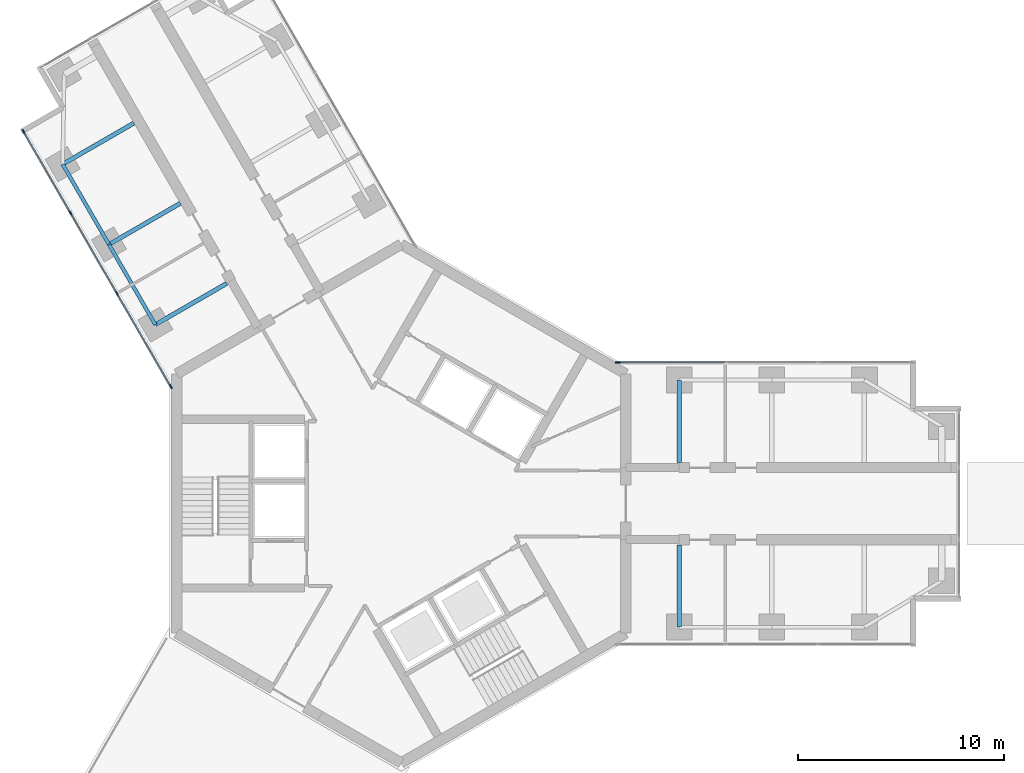
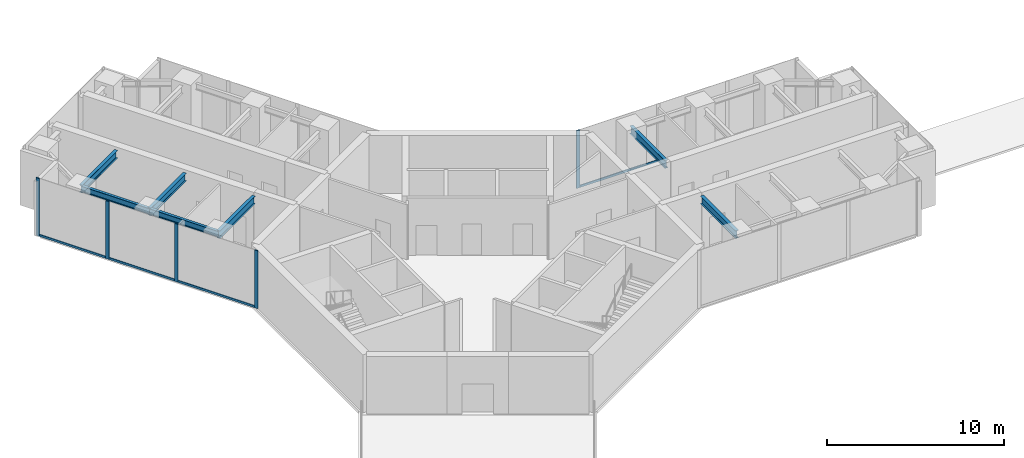
# One storey, part 5 of 18: 9 members, 7 beams, 2 elements without a shape of their own.
"""IFC4 building model written with IfcOpenShell, lengths in metres."""

from ifc_helpers import new_model, si_unit, direction, frame, origin, origin_2d, place, context, subcontext, project, spatial, rectangle, i_section, extrude, material, material_profile, profile_set, type_object, element, aggregate, save


model = new_model("IFC4")

# Units and contexts
model_context = context("Model", 3, precision=1e-05, world=origin(), true_north=direction((0.0, 1.0)))
body_context = subcontext(model_context, "Body", "Model", "MODEL_VIEW")
ifc_project = project(units=[si_unit("LENGTHUNIT", "METRE"), si_unit("AREAUNIT", "SQUARE_METRE"), si_unit("VOLUMEUNIT", "CUBIC_METRE"), si_unit("PLANEANGLEUNIT", "RADIAN"), si_unit("MASSUNIT", "GRAM", prefix="KILO")], contexts=[model_context])

# Site, building, storey
site_placement = place(None, origin())
site = spatial("IfcSite", under=ifc_project, at=site_placement, CompositionType="ELEMENT")
building_placement = place(site_placement, origin())
building = spatial("IfcBuilding", under=site, at=building_placement, Name="Upepo Twin Towers", CompositionType="ELEMENT")
storey_placement = place(building_placement, frame((0.0, 0.0, 170.5)))
storey = spatial("IfcBuildingStorey", under=building, at=storey_placement, Name="L41", CompositionType="ELEMENT", Elevation=170.5)

# Beams
ifc_material_1 = material(Name="Steel S355", Category="steel")
ifc_material_profile_1 = material_profile(ifc_material_1, i_section(OverallWidth=0.177978515625, OverallDepth=0.406494140625, WebThickness=0.0078125, FlangeThickness=0.0126953125, FilletRadius=0.01025390625, at=origin_2d()), Name="UB 406x178x60")
ifc_profile_set_1 = profile_set([ifc_material_profile_1], Name="Steel S355")
beam_type_1 = type_object("IfcBeamType", Name="Beam UB 406x178x60", PredefinedType="BEAM", material=ifc_profile_set_1)
beam_1_placement = place(storey_placement, frame((-11.946044921875, 8.69140625, 3.5966796875), z_axis=(-0.500013631625, 0.866017533419, 0.0), x_axis=(-0.866017533419, -0.500013631625, 0.0)))
element("IfcBeam", 1, at=beam_1_placement, inside=storey, type_object=beam_type_1, Name="T1 edge beam BL 13.5-18.0", PredefinedType="BEAM", context=body_context, shape_type="SweptSolid", body=[
    extrude(i_section(OverallWidth=0.177978515625, OverallDepth=0.406494140625, WebThickness=0.0078125, FlangeThickness=0.0126953125, FilletRadius=0.01025390625, at=origin_2d()), origin(), (0.0, 0.0, 1.0), 4.499755859375),
])
beam_2_placement = place(storey_placement, frame((-14.196044921875, 12.58837890625, 3.5966796875), z_axis=(-0.499990139034, 0.866031096941, 0.0), x_axis=(-0.866031096941, -0.499990139034, 0.0)))
element("IfcBeam", 2, at=beam_2_placement, inside=storey, type_object=beam_type_1, Name="T1 edge beam BL 18.0-22.5", PredefinedType="BEAM", context=body_context, shape_type="SweptSolid", body=[
    extrude(i_section(OverallWidth=0.177978515625, OverallDepth=0.406494140625, WebThickness=0.0078125, FlangeThickness=0.0126953125, FilletRadius=0.01025390625, at=origin_2d()), origin(), (0.0, 0.0, 1.0), 4.5),
])
ifc_material_2 = material(Name="Steel S355", Category="steel")
ifc_material_profile_2 = material_profile(ifc_material_2, i_section(OverallWidth=0.209228515625, OverallDepth=0.533203125, WebThickness=0.010009765625, FlangeThickness=0.015625, FilletRadius=0.0126953125, at=origin_2d()), Name="UB 533x210x92")
ifc_profile_set_2 = profile_set([ifc_material_profile_2], Name="Steel S355")
beam_type_2 = type_object("IfcBeamType", Name="Beam UB 533x210x92", PredefinedType="BEAM", material=ifc_profile_set_2)
for number, where, z_axis, x_axis, name in (
    (3, (13.5, 6.0, 3.533447265625), (0.0, -1.0, 0.0), (1.0, 0.0, 0.0), "T1 girder AL at 13.5"),
    (4, (13.5, -6.0, 3.533447265625), (0.0, 1.0, 0.0), (-1.0, 0.0, 0.0), "T1 girder AR at 13.5"),
    (5, (-11.946044921875, 8.69140625, 3.533447265625), (0.866026010844, 0.49999894854, 0.0), (-0.49999894854, 0.866026010844, 0.0), "T1 girder BL at 13.5"),
    (6, (-14.196044921875, 12.58837890625, 3.533447265625), (0.866026010844, 0.49999894854, 0.0), (-0.49999894854, 0.866026010844, 0.0), "T1 girder BL at 18.0"),
    (7, (-16.446044921875, 16.485595703125, 3.533447265625), (0.866026010844, 0.49999894854, 0.0), (-0.49999894854, 0.866026010844, 0.0), "T1 girder BL at 22.5"),
):
    element("IfcBeam", number, at=place(storey_placement, frame(where, z_axis=z_axis, x_axis=x_axis)), inside=storey, type_object=beam_type_2, Name=name, PredefinedType="BEAM", context=body_context, shape_type="SweptSolid", body=[
        extrude(i_section(OverallWidth=0.209228515625, OverallDepth=0.533203125, WebThickness=0.010009765625, FlangeThickness=0.015625, FilletRadius=0.0126953125, at=origin_2d()), origin(), (0.0, 0.0, 1.0), 4.0),
    ])

# Curtain wall, member
ifc_material_3 = material(Name="Aluminium and fritted glass", Category="aluminium")
curtain_wall_type = type_object("IfcCurtainWallType", Name="Tower curtain wall TW3, fritted glass", PredefinedType="NOTDEFINED", material=ifc_material_3)
curtain_wall_1_placement = place(storey_placement, origin())
curtain_wall_1 = element("IfcCurtainWall", 8, at=curtain_wall_1_placement, inside=storey, type_object=curtain_wall_type, Name="T1 L41 wing A flank L curtain wall", PredefinedType="NOTDEFINED")
ifc_material_4 = material(Name="Aluminium mullion", Category="aluminium")
ifc_material_profile_3 = material_profile(ifc_material_4, rectangle(XDim=0.06494140625, YDim=0.22509765625, at=origin_2d()), Name="MULLION 65x225")
ifc_profile_set_3 = profile_set([ifc_material_profile_3], Name="Aluminium mullion")
member_type_1 = type_object("IfcMemberType", Name="Mullion 65x225 TW3", PredefinedType="MULLION", material=ifc_profile_set_3)
member_1_placement = place(storey_placement, frame((10.51953125, 6.85009765625, 0.0), z_axis=(0.0, 0.0, 1.0), x_axis=(0.0, 1.0, 0.0)))
member_1 = element("IfcMember", 9, at=member_1_placement, type_object=member_type_1, Name="T1 L41 wing A flank L curtain wall mullion 1", PredefinedType="MULLION", context=body_context, shape_type="SweptSolid", body=[
    extrude(rectangle(XDim=0.06494140625, YDim=0.22509765625, at=origin_2d()), origin(), (0.0, 0.0, 1.0), 4.0),
])

# Curtain wall, members
curtain_wall_2_placement = place(storey_placement, origin())
curtain_wall_2 = element("IfcCurtainWall", 10, at=curtain_wall_2_placement, inside=storey, type_object=curtain_wall_type, Name="T1 L41 wing B flank L curtain wall", PredefinedType="NOTDEFINED")
member_2_placement = place(storey_placement, frame((-11.192138671875, 5.685302734375, 0.0), z_axis=(0.0, 0.0, 1.0), x_axis=(-0.866025388469, -0.500000026527, 0.0)))
member_2 = element("IfcMember", 11, at=member_2_placement, type_object=member_type_1, Name="T1 L41 wing B flank L curtain wall mullion 1", PredefinedType="MULLION", context=body_context, shape_type="SweptSolid", body=[
    extrude(rectangle(XDim=0.06494140625, YDim=0.22509765625, at=origin_2d()), origin(), (0.0, 0.0, 1.0), 4.0),
])
member_3_placement = place(storey_placement, frame((-13.807373046875, 10.21484375, 0.0), z_axis=(0.0, 0.0, 1.0), x_axis=(-0.866025388469, -0.500000026527, 0.0)))
member_3 = element("IfcMember", 12, at=member_3_placement, type_object=member_type_1, Name="T1 L41 wing B flank L curtain wall mullion 2", PredefinedType="MULLION", context=body_context, shape_type="SweptSolid", body=[
    extrude(rectangle(XDim=0.06494140625, YDim=0.22509765625, at=origin_2d()), origin(), (0.0, 0.0, 1.0), 4.0),
])
member_4_placement = place(storey_placement, frame((-16.057373046875, 14.112060546875, 0.0), z_axis=(0.0, 0.0, 1.0), x_axis=(-0.866025388469, -0.500000026527, 0.0)))
member_4 = element("IfcMember", 13, at=member_4_placement, type_object=member_type_1, Name="T1 L41 wing B flank L curtain wall mullion 3", PredefinedType="MULLION", context=body_context, shape_type="SweptSolid", body=[
    extrude(rectangle(XDim=0.06494140625, YDim=0.22509765625, at=origin_2d()), origin(), (0.0, 0.0, 1.0), 4.0),
])
member_5_placement = place(storey_placement, frame((-18.341064453125, 18.067626953125, 0.0), z_axis=(0.0, 0.0, 1.0), x_axis=(-0.866025388469, -0.500000026527, 0.0)))
member_5 = element("IfcMember", 14, at=member_5_placement, type_object=member_type_1, Name="T1 L41 wing B flank L curtain wall mullion 4", PredefinedType="MULLION", context=body_context, shape_type="SweptSolid", body=[
    extrude(rectangle(XDim=0.06494140625, YDim=0.22509765625, at=origin_2d()), origin(), (0.0, 0.0, 1.0), 4.0),
])

# Member
ifc_material_5 = material(Name="Aluminium transom", Category="aluminium")
ifc_material_profile_4 = material_profile(ifc_material_5, rectangle(XDim=0.06494140625, YDim=0.14990234375, at=origin_2d()), Name="TRANSOM 65x150")
ifc_profile_set_4 = profile_set([ifc_material_profile_4], Name="Aluminium transom")
member_type_2 = type_object("IfcMemberType", Name="Transom 65x150 TW3", PredefinedType="USERDEFINED", material=ifc_profile_set_4)
member_6_placement = place(storey_placement, frame((10.552001953125, 6.85009765625, 0.074951171875), z_axis=(1.0, 0.0, 0.0), x_axis=(0.0, 1.0, 0.0)))
member_6 = element("IfcMember", 15, at=member_6_placement, type_object=member_type_2, Name="T1 L41 wing A flank L curtain wall transom 1", ObjectType="TRANSOM", PredefinedType="USERDEFINED", context=body_context, shape_type="SweptSolid", body=[
    extrude(rectangle(XDim=0.06494140625, YDim=0.14990234375, at=origin_2d()), origin(), (0.0, 0.0, 1.0), 5.16552734375),
])

aggregate(curtain_wall_1, [member_1, member_6])

member_7_placement = place(storey_placement, frame((-11.208251953125, 5.71337890625, 0.074951171875), z_axis=(-0.500007480159, 0.86602108507, 0.0), x_axis=(-0.86602108507, -0.500007480159, 0.0)))
member_7 = element("IfcMember", 16, at=member_7_placement, type_object=member_type_2, Name="T1 L41 wing B flank L curtain wall transom 1", ObjectType="TRANSOM", PredefinedType="USERDEFINED", context=body_context, shape_type="SweptSolid", body=[
    extrude(rectangle(XDim=0.06494140625, YDim=0.14990234375, at=origin_2d()), origin(), (0.0, 0.0, 1.0), 5.16552734375),
])

member_8_placement = place(storey_placement, frame((-13.823486328125, 10.2431640625, 0.074951171875), z_axis=(-0.500005184116, 0.866022410713, 0.0), x_axis=(-0.866022410713, -0.500005184116, 0.0)))
member_8 = element("IfcMember", 17, at=member_8_placement, type_object=member_type_2, Name="T1 L41 wing B flank L curtain wall transom 2", ObjectType="TRANSOM", PredefinedType="USERDEFINED", context=body_context, shape_type="SweptSolid", body=[
    extrude(rectangle(XDim=0.06494140625, YDim=0.14990234375, at=origin_2d()), origin(), (0.0, 0.0, 1.0), 4.43505859375),
])

member_9_placement = place(storey_placement, frame((-16.073486328125, 14.14013671875, 0.074951171875), z_axis=(-0.499982167615, 0.866035699072, 0.0), x_axis=(-0.866035699072, -0.499982167615, 0.0)))
member_9 = element("IfcMember", 18, at=member_9_placement, type_object=member_type_2, Name="T1 L41 wing B flank L curtain wall transom 3", ObjectType="TRANSOM", PredefinedType="USERDEFINED", context=body_context, shape_type="SweptSolid", body=[
    extrude(rectangle(XDim=0.06494140625, YDim=0.14990234375, at=origin_2d()), origin(), (0.0, 0.0, 1.0), 4.502685546875),
])

aggregate(curtain_wall_2, [member_2, member_3, member_4, member_5, member_7, member_8, member_9])

save(model, "model.ifc")
